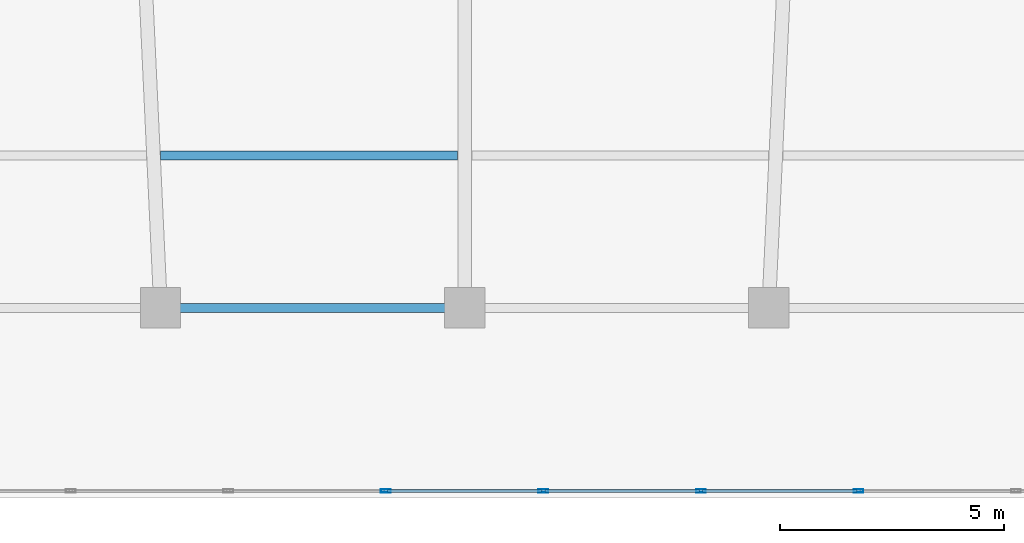
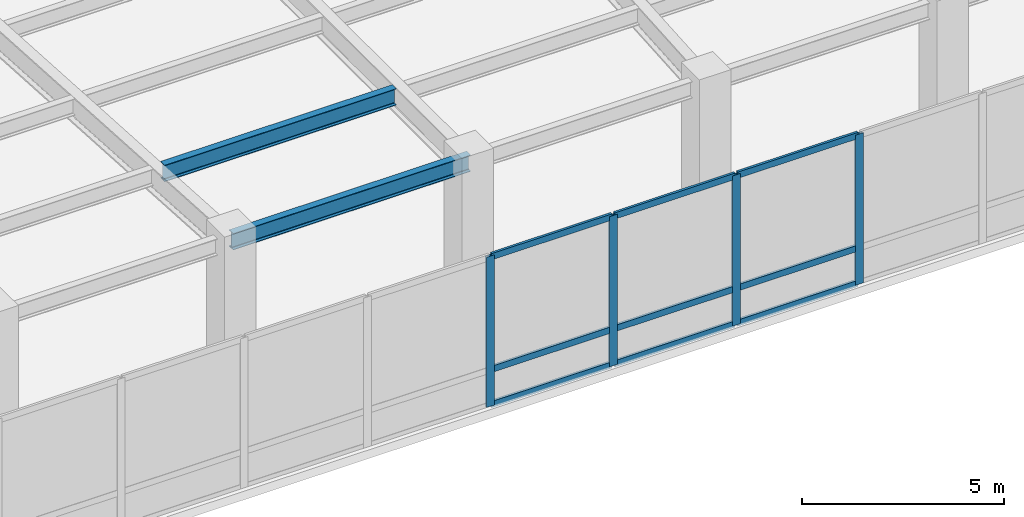
# One storey, part 6 of 19: 13 members, 2 beams, 1 element without a shape of its own.
"""IFC4 building model written with IfcOpenShell, lengths in metres."""

from ifc_helpers import new_model, si_unit, direction, frame, origin, origin_2d, place, context, subcontext, project, spatial, hollow_rectangle, i_section, extrude, material, material_profile, profile_set, type_object, element, aggregate, save


model = new_model("IFC4")

# Units and contexts
model_context = context("Model", 3, precision=1e-05, world=origin(), true_north=direction((0.0, 1.0)))
body_context = subcontext(model_context, "Body", "Model", "MODEL_VIEW")
ifc_project = project(units=[si_unit("LENGTHUNIT", "METRE"), si_unit("AREAUNIT", "SQUARE_METRE"), si_unit("VOLUMEUNIT", "CUBIC_METRE"), si_unit("PLANEANGLEUNIT", "RADIAN"), si_unit("MASSUNIT", "GRAM", prefix="KILO")], contexts=[model_context])

# Site, building, storey
site_placement = place(None, origin())
site = spatial("IfcSite", under=ifc_project, at=site_placement, CompositionType="ELEMENT")
building_placement = place(site_placement, origin())
building = spatial("IfcBuilding", under=site, at=building_placement, Name="Yelkora Congress Tower", CompositionType="ELEMENT")
storey_placement = place(building_placement, frame((0.0, 0.0, 15.60009765625)))
storey = spatial("IfcBuildingStorey", under=building, at=storey_placement, Name="L03", CompositionType="ELEMENT", Elevation=15.60009765625)

# Beams
ifc_material_1 = material(Name="Steel S355J2", Category="steel")
ifc_material_profile_1 = material_profile(ifc_material_1, i_section(OverallWidth=0.199951171875, OverallDepth=0.5, WebThickness=0.01025390625, FlangeThickness=0.01611328125, FilletRadius=0.02099609375, at=origin_2d()), Name="IPE 500")
ifc_profile_set_1 = profile_set([ifc_material_profile_1], Name="Steel S355J2")
beam_type_1 = type_object("IfcBeamType", Name="BM-JOIST-IPE500", PredefinedType="JOIST", material=ifc_profile_set_1)
beam_1_placement = place(storey_placement, frame((31.612060546875, 9.449951171875, 4.289794921875), z_axis=(1.0, 0.0, 0.0), x_axis=(0.0, 1.0, 0.0)))
element("IfcBeam", 1, at=beam_1_placement, inside=storey, type_object=beam_type_1, Name="L03 Composite Floor Joist 5", PredefinedType="JOIST", context=body_context, shape_type="SweptSolid", body=[
    extrude(i_section(OverallWidth=0.199951171875, OverallDepth=0.5, WebThickness=0.01025390625, FlangeThickness=0.01611328125, FilletRadius=0.02099609375, at=origin_2d()), origin(), (0.0, 0.0, 1.0), 6.6279296875),
])
ifc_material_profile_2 = material_profile(ifc_material_1, i_section(OverallWidth=0.199951171875, OverallDepth=0.5, WebThickness=0.01025390625, FlangeThickness=0.01611328125, FilletRadius=0.02099609375, at=origin_2d()), Name="IPE 500")
ifc_profile_set_2 = profile_set([ifc_material_profile_2], Name="Steel S355J2")
beam_type_2 = type_object("IfcBeamType", Name="BM-SPAN-IPE500B", PredefinedType="BEAM", material=ifc_profile_set_2)
beam_2_placement = place(storey_placement, frame((31.610107421875, 6.050048828125, 4.289794921875), z_axis=(1.0, 0.0, 0.0), x_axis=(0.0, 1.0, 0.0)))
element("IfcBeam", 2, at=beam_2_placement, inside=storey, type_object=beam_type_2, Name="L03 Perimeter Beam 6", PredefinedType="BEAM", context=body_context, shape_type="SweptSolid", body=[
    extrude(i_section(OverallWidth=0.199951171875, OverallDepth=0.5, WebThickness=0.01025390625, FlangeThickness=0.01611328125, FilletRadius=0.02099609375, at=origin_2d()), origin(), (0.0, 0.0, 1.0), 6.789794921875),
])

# Curtain wall, members
ifc_material_2 = material(Name="Anodised aluminium and insulated glass", Category="aluminium")
curtain_wall_type = type_object("IfcCurtainWallType", Name="CW-SYS-POD", PredefinedType="NOTDEFINED", material=ifc_material_2)
curtain_wall_placement = place(storey_placement, origin())
curtain_wall = element("IfcCurtainWall", 3, at=curtain_wall_placement, inside=storey, type_object=curtain_wall_type, Name="L03 Podium South Curtain Wall", PredefinedType="NOTDEFINED")
ifc_material_3 = material(Name="Anodised aluminium 6063-T6", Category="aluminium")
ifc_material_profile_3 = material_profile(ifc_material_3, hollow_rectangle(XDim=0.074951171875, YDim=0.219970703125, WallThickness=0.0048828125, at=origin_2d()), Name="ALU 75x220x5")
ifc_profile_set_3 = profile_set([ifc_material_profile_3], Name="Anodised aluminium 6063-T6")
member_type_1 = type_object("IfcMemberType", Name="MEM-ML-POD", PredefinedType="MULLION", material=ifc_profile_set_3)
member_1_placement = place(storey_placement, frame((47.1953125, 1.9599609375, 0.0), z_axis=(0.0, 0.0, 1.0), x_axis=(0.0, -1.0, 0.0)))
member_1 = element("IfcMember", 4, at=member_1_placement, type_object=member_type_1, Name="CW-POD mullion 9", PredefinedType="MULLION", context=body_context, shape_type="SweptSolid", body=[
    extrude(hollow_rectangle(XDim=0.074951171875, YDim=0.219970703125, WallThickness=0.0048828125, at=origin_2d()), origin(), (0.0, 0.0, 1.0), 4.539794921875),
])
member_2_placement = place(storey_placement, frame((43.67724609375, 1.9599609375, 0.0), z_axis=(0.0, 0.0, 1.0), x_axis=(0.0, -1.0, 0.0)))
member_2 = element("IfcMember", 5, at=member_2_placement, type_object=member_type_1, Name="CW-POD mullion 10", PredefinedType="MULLION", context=body_context, shape_type="SweptSolid", body=[
    extrude(hollow_rectangle(XDim=0.074951171875, YDim=0.219970703125, WallThickness=0.0048828125, at=origin_2d()), origin(), (0.0, 0.0, 1.0), 4.539794921875),
])
member_3_placement = place(storey_placement, frame((40.158935546875, 1.9599609375, 0.0), z_axis=(0.0, 0.0, 1.0), x_axis=(0.0, -1.0, 0.0)))
member_3 = element("IfcMember", 6, at=member_3_placement, type_object=member_type_1, Name="CW-POD mullion 11", PredefinedType="MULLION", context=body_context, shape_type="SweptSolid", body=[
    extrude(hollow_rectangle(XDim=0.074951171875, YDim=0.219970703125, WallThickness=0.0048828125, at=origin_2d()), origin(), (0.0, 0.0, 1.0), 4.539794921875),
])
member_4_placement = place(storey_placement, frame((36.640869140625, 1.9599609375, 0.0), z_axis=(0.0, 0.0, 1.0), x_axis=(0.0, -1.0, 0.0)))
member_4 = element("IfcMember", 7, at=member_4_placement, type_object=member_type_1, Name="CW-POD mullion 12", PredefinedType="MULLION", context=body_context, shape_type="SweptSolid", body=[
    extrude(hollow_rectangle(XDim=0.074951171875, YDim=0.219970703125, WallThickness=0.0048828125, at=origin_2d()), origin(), (0.0, 0.0, 1.0), 4.539794921875),
])
ifc_material_profile_4 = material_profile(ifc_material_3, hollow_rectangle(XDim=0.070068359375, YDim=0.18994140625, WallThickness=0.00390625, at=origin_2d()), Name="ALU 70x190x4")
ifc_profile_set_4 = profile_set([ifc_material_profile_4], Name="Anodised aluminium 6063-T6")
member_type_2 = type_object("IfcMemberType", Name="MEM-TR-POD", PredefinedType="USERDEFINED", material=ifc_profile_set_4)
member_5_placement = place(storey_placement, frame((47.15771484375, 1.9599609375, 0.034912109375), z_axis=(-1.0, 0.0, 0.0), x_axis=(0.0, -1.0, 0.0)))
member_5 = element("IfcMember", 8, at=member_5_placement, type_object=member_type_2, Name="CW-POD transom 9.1", ObjectType="TRANSOM", PredefinedType="USERDEFINED", context=body_context, shape_type="SweptSolid", body=[
    extrude(hollow_rectangle(XDim=0.070068359375, YDim=0.18994140625, WallThickness=0.00390625, at=origin_2d()), origin(), (0.0, 0.0, 1.0), 3.443115234375),
])
member_6_placement = place(storey_placement, frame((47.15771484375, 1.9599609375, 1.099853515625), z_axis=(-1.0, 0.0, 0.0), x_axis=(0.0, -1.0, 0.0)))
member_6 = element("IfcMember", 9, at=member_6_placement, type_object=member_type_2, Name="CW-POD transom 9.2", ObjectType="TRANSOM", PredefinedType="USERDEFINED", context=body_context, shape_type="SweptSolid", body=[
    extrude(hollow_rectangle(XDim=0.070068359375, YDim=0.18994140625, WallThickness=0.00390625, at=origin_2d()), origin(), (0.0, 0.0, 1.0), 3.443115234375),
])
member_7_placement = place(storey_placement, frame((47.15771484375, 1.9599609375, 4.5048828125), z_axis=(-1.0, 0.0, 0.0), x_axis=(0.0, -1.0, 0.0)))
member_7 = element("IfcMember", 10, at=member_7_placement, type_object=member_type_2, Name="CW-POD transom 9.3", ObjectType="TRANSOM", PredefinedType="USERDEFINED", context=body_context, shape_type="SweptSolid", body=[
    extrude(hollow_rectangle(XDim=0.070068359375, YDim=0.18994140625, WallThickness=0.00390625, at=origin_2d()), origin(), (0.0, 0.0, 1.0), 3.443115234375),
])
member_8_placement = place(storey_placement, frame((43.6396484375, 1.9599609375, 0.034912109375), z_axis=(-1.0, 0.0, 0.0), x_axis=(0.0, -1.0, 0.0)))
member_8 = element("IfcMember", 11, at=member_8_placement, type_object=member_type_2, Name="CW-POD transom 10.1", ObjectType="TRANSOM", PredefinedType="USERDEFINED", context=body_context, shape_type="SweptSolid", body=[
    extrude(hollow_rectangle(XDim=0.070068359375, YDim=0.18994140625, WallThickness=0.00390625, at=origin_2d()), origin(), (0.0, 0.0, 1.0), 3.443115234375),
])
member_9_placement = place(storey_placement, frame((43.6396484375, 1.9599609375, 1.099853515625), z_axis=(-1.0, 0.0, 0.0), x_axis=(0.0, -1.0, 0.0)))
member_9 = element("IfcMember", 12, at=member_9_placement, type_object=member_type_2, Name="CW-POD transom 10.2", ObjectType="TRANSOM", PredefinedType="USERDEFINED", context=body_context, shape_type="SweptSolid", body=[
    extrude(hollow_rectangle(XDim=0.070068359375, YDim=0.18994140625, WallThickness=0.00390625, at=origin_2d()), origin(), (0.0, 0.0, 1.0), 3.443115234375),
])
member_10_placement = place(storey_placement, frame((43.6396484375, 1.9599609375, 4.5048828125), z_axis=(-1.0, 0.0, 0.0), x_axis=(0.0, -1.0, 0.0)))
member_10 = element("IfcMember", 13, at=member_10_placement, type_object=member_type_2, Name="CW-POD transom 10.3", ObjectType="TRANSOM", PredefinedType="USERDEFINED", context=body_context, shape_type="SweptSolid", body=[
    extrude(hollow_rectangle(XDim=0.070068359375, YDim=0.18994140625, WallThickness=0.00390625, at=origin_2d()), origin(), (0.0, 0.0, 1.0), 3.443115234375),
])
member_11_placement = place(storey_placement, frame((40.12158203125, 1.9599609375, 0.034912109375), z_axis=(-1.0, 0.0, 0.0), x_axis=(0.0, -1.0, 0.0)))
member_11 = element("IfcMember", 14, at=member_11_placement, type_object=member_type_2, Name="CW-POD transom 11.1", ObjectType="TRANSOM", PredefinedType="USERDEFINED", context=body_context, shape_type="SweptSolid", body=[
    extrude(hollow_rectangle(XDim=0.070068359375, YDim=0.18994140625, WallThickness=0.00390625, at=origin_2d()), origin(), (0.0, 0.0, 1.0), 3.443115234375),
])
member_12_placement = place(storey_placement, frame((40.12158203125, 1.9599609375, 1.099853515625), z_axis=(-1.0, 0.0, 0.0), x_axis=(0.0, -1.0, 0.0)))
member_12 = element("IfcMember", 15, at=member_12_placement, type_object=member_type_2, Name="CW-POD transom 11.2", ObjectType="TRANSOM", PredefinedType="USERDEFINED", context=body_context, shape_type="SweptSolid", body=[
    extrude(hollow_rectangle(XDim=0.070068359375, YDim=0.18994140625, WallThickness=0.00390625, at=origin_2d()), origin(), (0.0, 0.0, 1.0), 3.443115234375),
])
member_13_placement = place(storey_placement, frame((40.12158203125, 1.9599609375, 4.5048828125), z_axis=(-1.0, 0.0, 0.0), x_axis=(0.0, -1.0, 0.0)))
member_13 = element("IfcMember", 16, at=member_13_placement, type_object=member_type_2, Name="CW-POD transom 11.3", ObjectType="TRANSOM", PredefinedType="USERDEFINED", context=body_context, shape_type="SweptSolid", body=[
    extrude(hollow_rectangle(XDim=0.070068359375, YDim=0.18994140625, WallThickness=0.00390625, at=origin_2d()), origin(), (0.0, 0.0, 1.0), 3.443115234375),
])
aggregate(curtain_wall, [member_1, member_2, member_3, member_4, member_5, member_6, member_7, member_8, member_9, member_10, member_11, member_12, member_13])

save(model, "model.ifc")
